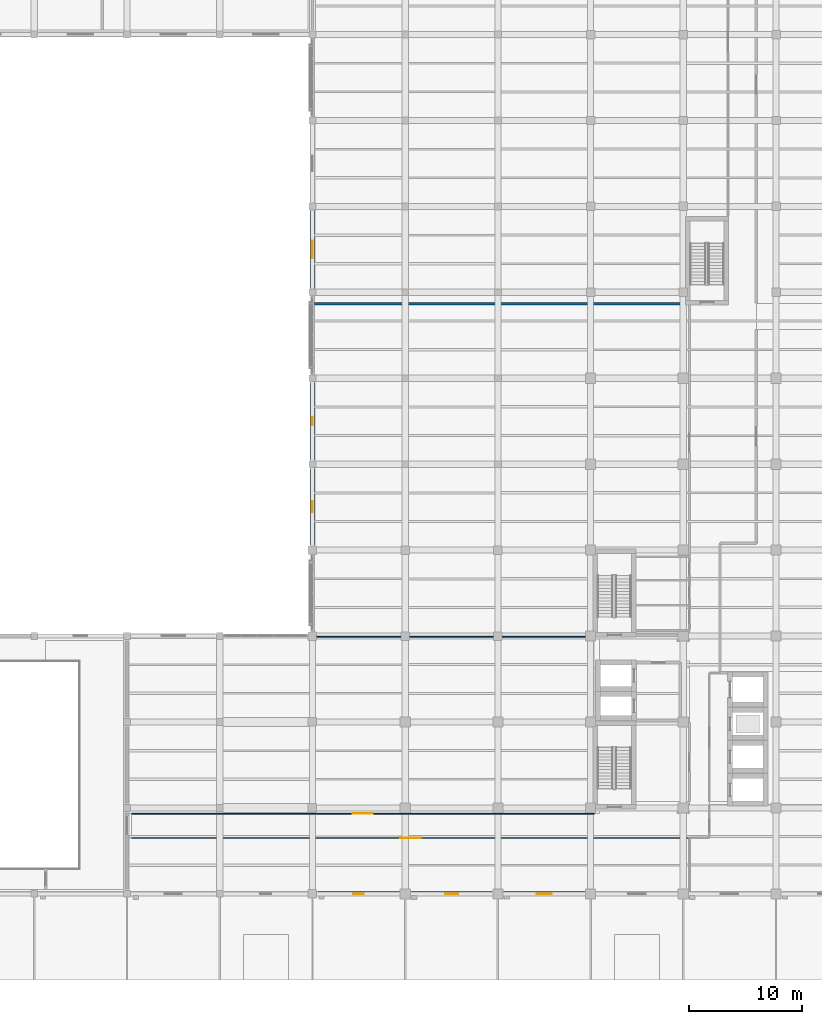
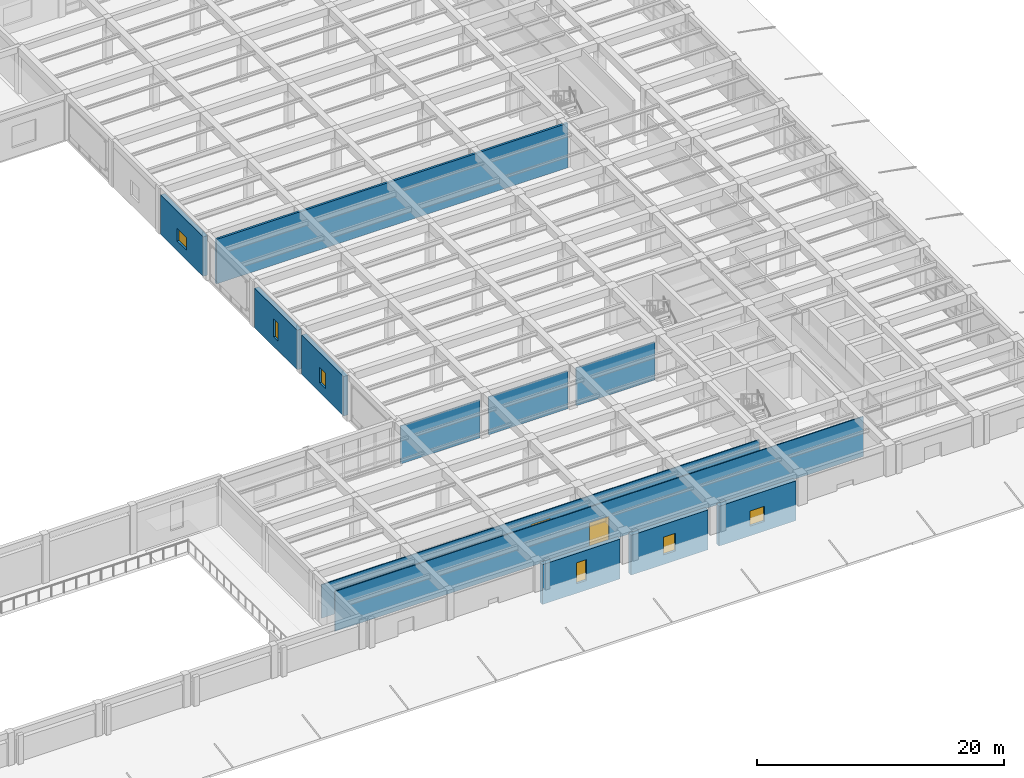
# One storey, part 38 of 57: 12 walls, 6 windows, 2 doors, 8 openings.
"""IFC4 building model written with IfcOpenShell, lengths in metres."""

import ifcopenshell
import ifcopenshell.guid

model = None  # the IFC model being written
_history = None  # IfcOwnerHistory: only IFC2X3 demands one
_inside = {}  # id of a spatial element -> (the spatial element, [elements in it])
_under = {}  # id of a project, library or spatial element -> (it, [spatial elements below it])
_declared = {}  # id of a project -> (the project, [libraries it declares])
_typed = {}  # id of a type object -> (the type object, [elements of that type])
_made_of = {}  # id of a material, layer set ... -> (it, [elements and type objects made of it])


def new_model(schema):
    """Start an empty IFC model of exactly this schema.

    Asked for "IFC4X3", IfcOpenShell would pick the latest addendum, in which some entities
    have other attributes; the version numbers below select the first issue.
    IFC2X3 requires an IfcOwnerHistory on every rooted entity: one is made here for all.
    """
    global model, _history
    if schema == "IFC4X3":
        model = ifcopenshell.file(schema_version=(4, 3, 0, 0))
    else:
        model = ifcopenshell.file(schema=schema)
    _inside.clear()
    _under.clear()
    _declared.clear()
    _typed.clear()
    _made_of.clear()
    _history = None
    if model.schema == "IFC2X3":
        org = make("IfcOrganization", Name="unknown")
        user = make(
            "IfcPersonAndOrganization",
            ThePerson=make("IfcPerson", FamilyName="unknown"),
            TheOrganization=org,
        )
        app = make(
            "IfcApplication",
            ApplicationDeveloper=org,
            Version="unknown",
            ApplicationFullName="unknown",
            ApplicationIdentifier="unknown",
        )
        _history = make(
            "IfcOwnerHistory",
            OwningUser=user,
            OwningApplication=app,
            ChangeAction="ADDED",
            CreationDate=0,
        )
    return model


def make(cls, **values):
    """One entity of the class cls with the attributes given. An attribute that is None is left unset."""
    return model.create_entity(
        cls, **{name: value for name, value in values.items() if value is not None}
    )


def rooted(cls, **values):
    """An entity with a GlobalId (a new one), such as an element, a storey or a relation."""
    return make(cls, GlobalId=ifcopenshell.guid.new(), OwnerHistory=_history, **values)


def si_unit(unit_type, name, prefix=None):
    """IfcSIUnit, for example si_unit("LENGTHUNIT", "METRE", prefix="MILLI")."""
    return make("IfcSIUnit", UnitType=unit_type, Prefix=prefix, Name=name)


def assignment(units):
    """IfcUnitAssignment: the units of a project."""
    return None if units is None else make("IfcUnitAssignment", Units=units)


def point(xyz):
    """IfcCartesianPoint."""
    return None if xyz is None else make("IfcCartesianPoint", Coordinates=xyz)


def direction(xyz):
    """IfcDirection."""
    return None if xyz is None else make("IfcDirection", DirectionRatios=xyz)


def frame(location, z_axis=None, x_axis=None):
    """IfcAxis2Placement3D, a coordinate frame: its origin and axes. An axis left out is left unset."""
    return make(
        "IfcAxis2Placement3D",
        Location=point(location),
        Axis=direction(z_axis),
        RefDirection=direction(x_axis),
    )


def frame_2d(location, x_axis=None):
    """IfcAxis2Placement2D, a coordinate frame in the plane: its origin and x axis."""
    return make(
        "IfcAxis2Placement2D", Location=point(location), RefDirection=direction(x_axis)
    )


def origin():
    """The frame at (0, 0, 0) with its axes left unset."""
    return frame((0.0, 0.0, 0.0))


def place(relative_to, where):
    """IfcLocalPlacement: puts the frame where relative to a parent placement (None: the world)."""
    return make(
        "IfcLocalPlacement", PlacementRelTo=relative_to, RelativePlacement=where
    )


def context(
    kind, dimensions, precision=None, world=None, true_north=None, identifier=None
):
    """IfcGeometricRepresentationContext, for example the 3D "Model" context."""
    return make(
        "IfcGeometricRepresentationContext",
        ContextIdentifier=identifier,
        ContextType=kind,
        CoordinateSpaceDimension=dimensions,
        Precision=precision,
        WorldCoordinateSystem=world,
        TrueNorth=true_north,
    )


def subcontext(parent, identifier, kind, view, scale=None):
    """IfcGeometricRepresentationSubContext, for example "Body" below "Model"."""
    return make(
        "IfcGeometricRepresentationSubContext",
        ContextIdentifier=identifier,
        ContextType=kind,
        ParentContext=parent,
        TargetScale=scale,
        TargetView=view,
    )


def project(units=None, contexts=None):
    """IfcProject with its units and contexts."""
    return rooted(
        "IfcProject",
        Name="project",
        RepresentationContexts=contexts,
        UnitsInContext=assignment(units),
    )


def spatial(cls, under=None, at=None, **own):
    """A site, building, storey or space (cls), placed at a placement, below another one or the project."""
    s = rooted(cls, ObjectPlacement=at, **own)
    if under is not None:
        _under.setdefault(under.id(), (under, []))[1].append(s)
    return s


def profile(cls, at=None, kind="AREA", **sizes):
    """A parametric profile (cls). Its sizes go by their IFC names, for example OverallWidth=200.0."""
    return make(cls, ProfileType=kind, Position=at, **sizes)


def rectangle(**sizes):
    """IfcRectangleProfileDef."""
    return profile("IfcRectangleProfileDef", **sizes)


def extrude(swept, where, along, depth):
    """IfcExtrudedAreaSolid: the profile swept, set in the frame where, extruded along a direction by depth."""
    return make(
        "IfcExtrudedAreaSolid",
        SweptArea=swept,
        Position=where,
        ExtrudedDirection=direction(along),
        Depth=depth,
    )


def shape(context_of_items, identifier, shape_type, items):
    """IfcShapeRepresentation: the items that make up one representation, for example the "Body"."""
    return make(
        "IfcShapeRepresentation",
        ContextOfItems=context_of_items,
        RepresentationIdentifier=identifier,
        RepresentationType=shape_type,
        Items=items,
    )


def material(Name=None, Category=None):
    """IfcMaterial."""
    return make("IfcMaterial", Name=Name, Category=Category)


def layer(
    of_material, thickness, ventilated=None, Name=None, Category=None, Priority=None
):
    """IfcMaterialLayer: one layer of a wall or slab, of a material (None: an air gap)."""
    return make(
        "IfcMaterialLayer",
        Material=of_material,
        LayerThickness=thickness,
        IsVentilated=ventilated,
        Name=Name,
        Category=Category,
        Priority=Priority,
    )


def layer_set(layers, Name=None):
    """IfcMaterialLayerSet."""
    return make("IfcMaterialLayerSet", MaterialLayers=layers, LayerSetName=Name)


def made_of(thing, what):
    """Note that an element or type object is made of a material, layer set ...; save() writes the relation."""
    if what is not None:
        _made_of.setdefault(what.id(), (what, []))[1].append(thing)
    return thing


def type_object(cls, material=None, **own):
    """A type object (cls), such as IfcWallType, which elements share."""
    return made_of(rooted(cls, **own), material)


def element(
    cls,
    number,
    at=None,
    inside=None,
    cuts=None,
    type_object=None,
    material=None,
    context=None,
    identifier="Body",
    shape_type=None,
    held_by="IfcProductDefinitionShape",
    body=None,
    shapes=None,
    **own,
):
    """One element of the class cls, such as IfcWall. Its Tag is "e" and its number.

    at: its placement. inside: the storey or other place that contains it. cuts: it is an
    opening in that element (IfcRelVoidsElement). A single representation is given by context,
    identifier, shape_type and body (its items); several are given by shapes. held_by: the class
    of the entity that holds the representations. save() writes the other relations.
    """
    e = rooted(cls, Tag="e%d" % number, ObjectPlacement=at, **own)
    if body is not None:
        shapes = [shape(context, identifier, shape_type, body)]
    if shapes is not None:
        e.Representation = make(held_by, Representations=shapes)
    if inside is not None:
        _inside.setdefault(inside.id(), (inside, []))[1].append(e)
    if cuts is not None:
        rooted(
            "IfcRelVoidsElement", RelatingBuildingElement=cuts, RelatedOpeningElement=e
        )
    if type_object is not None:
        _typed.setdefault(type_object.id(), (type_object, []))[1].append(e)
    return made_of(e, material)


def fill(opening, filler):
    """IfcRelFillsElement: the door or window that sits in an opening."""
    return rooted(
        "IfcRelFillsElement",
        RelatingOpeningElement=opening,
        RelatedBuildingElement=filler,
    )


def aggregate(whole, parts):
    """IfcRelAggregates: a whole, such as a stair, and the parts it consists of."""
    return rooted("IfcRelAggregates", RelatingObject=whole, RelatedObjects=parts)


def save(model, path):
    """Write the relations noted so far, then the file.

    IfcRelAggregates (storeys below a building ...), IfcRelContainedInSpatialStructure (elements
    in a storey), IfcRelDefinesByType, IfcRelAssociatesMaterial and IfcRelDeclares: one each for
    every whole, place, type object, material and project.
    """
    for whole, parts in _under.values():
        aggregate(whole, parts)
    for where, things in _inside.values():
        rooted(
            "IfcRelContainedInSpatialStructure",
            RelatedElements=things,
            RelatingStructure=where,
        )
    for kind, things in _typed.values():
        rooted("IfcRelDefinesByType", RelatedObjects=things, RelatingType=kind)
    for what, things in _made_of.values():
        rooted("IfcRelAssociatesMaterial", RelatedObjects=things, RelatingMaterial=what)
    for by, libraries in _declared.values():
        rooted("IfcRelDeclares", RelatingContext=by, RelatedDefinitions=libraries)
    model.write(path)


model = new_model("IFC4")

# Units and contexts
model_context = context("Model", 3, precision=1e-05, world=origin(), true_north=direction((0.0, 1.0)))
body_context = subcontext(model_context, "Body", "Model", "MODEL_VIEW")
ifc_project = project(units=[si_unit("LENGTHUNIT", "METRE"), si_unit("AREAUNIT", "SQUARE_METRE"), si_unit("VOLUMEUNIT", "CUBIC_METRE"), si_unit("PLANEANGLEUNIT", "RADIAN"), si_unit("MASSUNIT", "GRAM", prefix="KILO")], contexts=[model_context])

# Site, building, storey
site_placement = place(None, origin())
site = spatial("IfcSite", under=ifc_project, at=site_placement, CompositionType="ELEMENT")
building_placement = place(site_placement, origin())
building = spatial("IfcBuilding", under=site, at=building_placement, Name="Qandaris Square Conservatory and Botanical Centre", CompositionType="ELEMENT")
storey_placement = place(building_placement, frame((0.0, 0.0, 5.39990234375)))
storey = spatial("IfcBuildingStorey", under=building, at=storey_placement, Name="L01", CompositionType="ELEMENT", Elevation=5.39990234375)

# Wall, opening, door
ifc_material_1 = material(Name="Tempered Low-E Glass", Category="glass")
ifc_layer_1 = layer(ifc_material_1, 0.10009765625)
ifc_layer_set_1 = layer_set([ifc_layer_1], Name="Tempered Low-E Glass")
wall_type_1 = type_object("IfcWallType", Name="Framed Acoustic Glazed Gallery Screen 100mm", PredefinedType="PARTITIONING", material=ifc_layer_set_1)
wall_1_placement = place(storey_placement, frame((147.949951171875, 21.550048828125, 0.0), z_axis=(0.0, 0.0, 1.0), x_axis=(-1.0, 0.0, 0.0)))
wall_1 = element("IfcWall", 1, at=wall_1_placement, inside=storey, type_object=wall_type_1, Name="Interior Partition IW-L01-0105", PredefinedType="PARTITIONING", context=body_context, shape_type="SweptSolid", body=[
    extrude(rectangle(XDim=49.349853515625, YDim=0.10009765625, at=frame_2d((24.6748046875, 0.0))), origin(), (0.0, 0.0, 1.0), 3.945068359375),
])
opening_1_placement = place(wall_1_placement, frame((23.77490234375, 0.0, 0.0)))
opening_1 = element("IfcOpeningElement", 2, at=opening_1_placement, cuts=wall_1, Name="Opening D-GL1", PredefinedType="OPENING", context=body_context, shape_type="SweptSolid", body=[
    extrude(rectangle(XDim=1.800048828125, YDim=2.39990234375, at=frame_2d((0.89990234375, 1.199951171875))), frame((0.0, 0.06201171875, 0.0), z_axis=(0.0, -1.0, 0.0), x_axis=(1.0, 0.0, 0.0)), (0.0, 0.0, 1.0), 0.1240234375),
])
ifc_material_2 = material(Name="Anodised Aluminium", Category="aluminium")
door_type = type_object("IfcDoorType", Name="Visitor Gallery Glazed Double Door 1800x2400", OperationType="DOUBLE_DOOR_SINGLE_SWING", PredefinedType="DOOR", material=ifc_material_2)
door_1_placement = place(opening_1_placement, origin())
door_1 = element("IfcDoor", 3, at=door_1_placement, inside=storey, type_object=door_type, Name="DR-0095 Visitor Centre Interactive Ecology Gallery Door", OperationType="DOUBLE_DOOR_SINGLE_SWING", OverallHeight=2.39990234375, OverallWidth=1.800048828125, PredefinedType="DOOR", context=body_context, shape_type="SweptSolid", body=[
    extrude(rectangle(XDim=1.800048828125, YDim=2.39990234375, at=frame_2d((0.89990234375, 1.199951171875))), frame((0.0, 0.02490234375, 0.0), z_axis=(0.0, -1.0, 0.0), x_axis=(1.0, 0.0, 0.0)), (0.0, 0.0, 1.0), 0.050048828125),
])
fill(opening_1, door_1)

wall_2_placement = place(storey_placement, frame((98.60009765625, 23.699951171875, 0.0), z_axis=(0.0, 0.0, 1.0), x_axis=(1.0, 0.0, 0.0)))
wall_2 = element("IfcWall", 4, at=wall_2_placement, inside=storey, type_object=wall_type_1, Name="Interior Partition IW-L01-0106", PredefinedType="PARTITIONING", context=body_context, shape_type="SweptSolid", body=[
    extrude(rectangle(XDim=40.89990234375, YDim=0.10009765625, at=frame_2d((20.449951171875, 0.0))), origin(), (0.0, 0.0, 1.0), 3.30517578125),
])
opening_2_placement = place(wall_2_placement, frame((19.550048828125, 0.0, 0.0)))
opening_2 = element("IfcOpeningElement", 5, at=opening_2_placement, cuts=wall_2, Name="Opening D-GL1", PredefinedType="OPENING", context=body_context, shape_type="SweptSolid", body=[
    extrude(rectangle(XDim=1.800048828125, YDim=2.39990234375, at=frame_2d((0.89990234375, 1.199951171875))), frame((0.0, 0.06201171875, 0.0), z_axis=(0.0, -1.0, 0.0), x_axis=(1.0, 0.0, 0.0)), (0.0, 0.0, 1.0), 0.1240234375),
])
door_2_placement = place(opening_2_placement, frame((1.800048828125, 0.0, 0.0), z_axis=(0.0, 0.0, 1.0), x_axis=(-1.0, 0.0, 0.0)))
door_2 = element("IfcDoor", 6, at=door_2_placement, inside=storey, type_object=door_type, Name="DR-0096 Botanical Illustration Studio Door", OperationType="DOUBLE_DOOR_SINGLE_SWING", OverallHeight=2.39990234375, OverallWidth=1.800048828125, PredefinedType="DOOR", context=body_context, shape_type="SweptSolid", body=[
    extrude(rectangle(XDim=1.800048828125, YDim=2.39990234375, at=frame_2d((0.89990234375, 1.199951171875))), frame((0.0, 0.02490234375, 0.0), z_axis=(0.0, -1.0, 0.0), x_axis=(1.0, 0.0, 0.0)), (0.0, 0.0, 1.0), 0.050048828125),
])
fill(opening_2, door_2)

# Walls
for number, where, z_axis, x_axis, name in (
    (7, (114.9951171875, 39.324951171875, 0.0), (0.0, 0.0, 1.0), (1.0, 0.0, 0.0), "Interior Partition IW-L01-0119"),
    (8, (123.195068359375, 39.324951171875, 0.0), (0.0, 0.0, 1.0), (1.0, 0.0, 0.0), "Interior Partition IW-L01-0120"),
):
    element("IfcWall", number, at=place(storey_placement, frame(where, z_axis=z_axis, x_axis=x_axis)), inside=storey, type_object=wall_type_1, Name=name, PredefinedType="PARTITIONING", context=body_context, shape_type="SweptSolid", body=[
        extrude(rectangle(XDim=7.409912109375, YDim=0.10009765625, at=frame_2d((3.705078125, 0.0))), origin(), (0.0, 0.0, 1.0), 3.755126953125),
    ])
wall_3_placement = place(storey_placement, frame((131.39501953125, 39.324951171875, 0.0), z_axis=(0.0, 0.0, 1.0), x_axis=(1.0, 0.0, 0.0)))
element("IfcWall", 9, at=wall_3_placement, inside=storey, type_object=wall_type_1, Name="Interior Partition IW-L01-0121", PredefinedType="PARTITIONING", context=body_context, shape_type="SweptSolid", body=[
    extrude(rectangle(XDim=7.3349609375, YDim=0.10009765625, at=frame_2d((3.66748046875, 0.0))), origin(), (0.0, 0.0, 1.0), 3.755126953125),
])
ifc_material_3 = material(Name="Concrete C40/50", Category="concrete")
ifc_layer_2 = layer(ifc_material_3, 0.199951171875)
ifc_layer_set_2 = layer_set([ifc_layer_2], Name="Concrete C40/50")
wall_type_2 = type_object("IfcWallType", Name="Herbarium & Plant Compartment Wall 200mm", PredefinedType="PARTITIONING", material=ifc_layer_set_2)
wall_4_placement = place(storey_placement, frame((114.780029296875, 68.800048828125, 0.0), z_axis=(0.0, 0.0, 1.0), x_axis=(1.0, 0.0, 0.0)))
element("IfcWall", 10, at=wall_4_placement, inside=storey, type_object=wall_type_2, Name="Interior Partition IW-L01-0122", PredefinedType="PARTITIONING", context=body_context, shape_type="SweptSolid", body=[
    extrude(rectangle(XDim=32.820068359375, YDim=0.199951171875, at=frame_2d((16.41015625, 0.0))), origin(), (0.0, 0.0, 1.0), 4.405029296875),
])

# Wall, opening, window
ifc_layer_3 = layer(ifc_material_3, 0.419921875)
ifc_layer_set_3 = layer_set([ifc_layer_3], Name="Concrete C40/50")
wall_type_3 = type_object("IfcWallType", Name="Insulated Qatari Limestone Cavity Wall 420mm", PredefinedType="SOLIDWALL", material=ifc_layer_set_3)
wall_5_placement = place(storey_placement, frame((115.034912109375, 16.60009765625, 0.0), z_axis=(0.0, 0.0, 1.0), x_axis=(1.0, 0.0, 0.0)))
wall_5 = element("IfcWall", 11, at=wall_5_placement, inside=storey, type_object=wall_type_3, Name="Exterior Wall EW-TWR-L01-1-3", PredefinedType="SOLIDWALL", context=body_context, shape_type="SweptSolid", body=[
    extrude(rectangle(XDim=7.255126953125, YDim=0.419921875, at=frame_2d((3.62744140625, 0.0))), origin(), (0.0, 0.0, 1.0), 3.93017578125),
])
opening_3_placement = place(wall_5_placement, frame((3.152587890625, 0.0, 0.949951171875)))
opening_3 = element("IfcOpeningElement", 12, at=opening_3_placement, cuts=wall_5, Name="Opening WN-16", PredefinedType="OPENING", context=body_context, shape_type="SweptSolid", body=[
    extrude(rectangle(XDim=0.949951171875, YDim=2.050048828125, at=frame_2d((0.47509765625, 1.02490234375))), frame((0.0, 0.221923828125, 0.0), z_axis=(0.0, -1.0, 0.0), x_axis=(1.0, 0.0, 0.0)), (0.0, 0.0, 1.0), 0.44384765625),
])
window_type_1 = type_object("IfcWindowType", Name="Solar Control Window 950x2050", PartitioningType="SINGLE_PANEL", PredefinedType="WINDOW", material=ifc_material_1)
window_1_placement = place(opening_3_placement, origin())
window_1 = element("IfcWindow", 13, at=window_1_placement, inside=storey, type_object=window_type_1, Name="Window EW-TWR-L01-1-3", OverallHeight=2.050048828125, OverallWidth=0.949951171875, PartitioningType="SINGLE_PANEL", PredefinedType="WINDOW", context=body_context, shape_type="SweptSolid", body=[
    extrude(rectangle(XDim=0.949951171875, YDim=2.050048828125, at=frame_2d((0.47509765625, 1.02490234375))), frame((0.0, 0.030029296875, 0.0), z_axis=(0.0, -1.0, 0.0), x_axis=(1.0, 0.0, 0.0)), (0.0, 0.0, 1.0), 0.06005859375),
])
fill(opening_3, window_1)

wall_6_placement = place(storey_placement, frame((123.31005859375, 16.60009765625, 0.0), z_axis=(0.0, 0.0, 1.0), x_axis=(1.0, 0.0, 0.0)))
wall_6 = element("IfcWall", 14, at=wall_6_placement, inside=storey, type_object=wall_type_3, Name="Exterior Wall EW-TWR-L01-1-4", PredefinedType="SOLIDWALL", context=body_context, shape_type="SweptSolid", body=[
    extrude(rectangle(XDim=7.179931640625, YDim=0.419921875, at=frame_2d((3.58984375, 0.0))), origin(), (0.0, 0.0, 1.0), 3.93017578125),
])
opening_4_placement = place(wall_6_placement, frame((3.014892578125, 0.0, 0.949951171875)))
opening_4 = element("IfcOpeningElement", 15, at=opening_4_placement, cuts=wall_6, Name="Opening WN-19", PredefinedType="OPENING", context=body_context, shape_type="SweptSolid", body=[
    extrude(rectangle(XDim=1.14990234375, YDim=1.75, at=frame_2d((0.574951171875, 0.875))), frame((0.0, 0.221923828125, 0.0), z_axis=(0.0, -1.0, 0.0), x_axis=(1.0, 0.0, 0.0)), (0.0, 0.0, 1.0), 0.44384765625),
])
window_type_2 = type_object("IfcWindowType", Name="Solar Control Window 1150x1750", PartitioningType="SINGLE_PANEL", PredefinedType="WINDOW", material=ifc_material_1)
window_2_placement = place(opening_4_placement, origin())
window_2 = element("IfcWindow", 16, at=window_2_placement, inside=storey, type_object=window_type_2, Name="Window EW-TWR-L01-1-4", OverallHeight=1.75, OverallWidth=1.14990234375, PartitioningType="SINGLE_PANEL", PredefinedType="WINDOW", context=body_context, shape_type="SweptSolid", body=[
    extrude(rectangle(XDim=1.14990234375, YDim=1.75, at=frame_2d((0.574951171875, 0.875))), frame((0.0, 0.030029296875, 0.0), z_axis=(0.0, -1.0, 0.0), x_axis=(1.0, 0.0, 0.0)), (0.0, 0.0, 1.0), 0.06005859375),
])
fill(opening_4, window_2)

wall_7_placement = place(storey_placement, frame((131.510009765625, 16.60009765625, 0.0), z_axis=(0.0, 0.0, 1.0), x_axis=(1.0, 0.0, 0.0)))
wall_7 = element("IfcWall", 17, at=wall_7_placement, inside=storey, type_object=wall_type_3, Name="Exterior Wall EW-TWR-L01-1-5", PredefinedType="SOLIDWALL", context=body_context, shape_type="SweptSolid", body=[
    extrude(rectangle(XDim=7.179931640625, YDim=0.419921875, at=frame_2d((3.58984375, 0.0))), origin(), (0.0, 0.0, 1.0), 3.93017578125),
])
opening_5_placement = place(wall_7_placement, frame((2.9150390625, 0.0, 0.949951171875)))
opening_5 = element("IfcOpeningElement", 18, at=opening_5_placement, cuts=wall_7, Name="Opening WN-22", PredefinedType="OPENING", context=body_context, shape_type="SweptSolid", body=[
    extrude(rectangle(XDim=1.35009765625, YDim=1.5, at=frame_2d((0.675048828125, 0.75))), frame((0.0, 0.221923828125, 0.0), z_axis=(0.0, -1.0, 0.0), x_axis=(1.0, 0.0, 0.0)), (0.0, 0.0, 1.0), 0.44384765625),
])
window_type_3 = type_object("IfcWindowType", Name="Solar Control Window 1350x1500", PartitioningType="SINGLE_PANEL", PredefinedType="WINDOW", material=ifc_material_1)
window_3_placement = place(opening_5_placement, origin())
window_3 = element("IfcWindow", 19, at=window_3_placement, inside=storey, type_object=window_type_3, Name="Window EW-TWR-L01-1-5", OverallHeight=1.5, OverallWidth=1.35009765625, PartitioningType="SINGLE_PANEL", PredefinedType="WINDOW", context=body_context, shape_type="SweptSolid", body=[
    extrude(rectangle(XDim=1.35009765625, YDim=1.5, at=frame_2d((0.675048828125, 0.75))), frame((0.0, 0.030029296875, 0.0), z_axis=(0.0, -1.0, 0.0), x_axis=(1.0, 0.0, 0.0)), (0.0, 0.0, 1.0), 0.06005859375),
])
fill(opening_5, window_3)

wall_8_placement = place(storey_placement, frame((114.60009765625, 77.0400390625, 0.0), z_axis=(0.0, 0.0, 1.0), x_axis=(0.0, -1.0, 0.0)))
wall_8 = element("IfcWall", 20, at=wall_8_placement, inside=storey, type_object=wall_type_3, Name="Exterior Wall EW-TWR-L01-4-5", PredefinedType="SOLIDWALL", context=body_context, shape_type="SweptSolid", body=[
    extrude(rectangle(XDim=6.880126953125, YDim=0.419921875, at=frame_2d((3.43994140625, 0.0))), origin(), (0.0, 0.0, 1.0), 3.905029296875),
])
opening_6_placement = place(wall_8_placement, frame((2.6650390625, 0.0, 0.949951171875)))
opening_6 = element("IfcOpeningElement", 21, at=opening_6_placement, cuts=wall_8, Name="Opening WN-25", PredefinedType="OPENING", context=body_context, shape_type="SweptSolid", body=[
    extrude(rectangle(XDim=1.550048828125, YDim=1.25, at=frame_2d((0.77490234375, 0.625))), frame((0.0, 0.221923828125, 0.0), z_axis=(0.0, -1.0, 0.0), x_axis=(1.0, 0.0, 0.0)), (0.0, 0.0, 1.0), 0.44384765625),
])
window_type_4 = type_object("IfcWindowType", Name="Solar Control Window 1550x1250", PartitioningType="DOUBLE_PANEL_VERTICAL", PredefinedType="WINDOW", material=ifc_material_1)
window_4_placement = place(opening_6_placement, origin())
window_4 = element("IfcWindow", 22, at=window_4_placement, inside=storey, type_object=window_type_4, Name="Window EW-TWR-L01-4-5", OverallHeight=1.25, OverallWidth=1.550048828125, PartitioningType="DOUBLE_PANEL_VERTICAL", PredefinedType="WINDOW", context=body_context, shape_type="SweptSolid", body=[
    extrude(rectangle(XDim=1.550048828125, YDim=1.25, at=frame_2d((0.77490234375, 0.625))), frame((0.0, 0.030029296875, 0.0), z_axis=(0.0, -1.0, 0.0), x_axis=(1.0, 0.0, 0.0)), (0.0, 0.0, 1.0), 0.06005859375),
])
fill(opening_6, window_4)

wall_9_placement = place(storey_placement, frame((114.60009765625, 61.840087890625, 0.0), z_axis=(0.0, 0.0, 1.0), x_axis=(0.0, -1.0, 0.0)))
wall_9 = element("IfcWall", 23, at=wall_9_placement, inside=storey, type_object=wall_type_3, Name="Exterior Wall EW-TWR-L01-4-7", PredefinedType="SOLIDWALL", context=body_context, shape_type="SweptSolid", body=[
    extrude(rectangle(XDim=6.880126953125, YDim=0.419921875, at=frame_2d((3.43994140625, 0.0))), origin(), (0.0, 0.0, 1.0), 3.905029296875),
])
opening_7_placement = place(wall_9_placement, frame((3.06494140625, 0.0, 0.949951171875)))
opening_7 = element("IfcOpeningElement", 24, at=opening_7_placement, cuts=wall_9, Name="Opening WN-03", PredefinedType="OPENING", context=body_context, shape_type="SweptSolid", body=[
    extrude(rectangle(XDim=0.75, YDim=1.800048828125, at=frame_2d((0.375, 0.89990234375))), frame((0.0, 0.221923828125, 0.0), z_axis=(0.0, -1.0, 0.0), x_axis=(1.0, 0.0, 0.0)), (0.0, 0.0, 1.0), 0.44384765625),
])
window_type_5 = type_object("IfcWindowType", Name="Herbarium UV-Filtered Slot Window 750x1800", PartitioningType="SINGLE_PANEL", PredefinedType="WINDOW", material=ifc_material_1)
window_5_placement = place(opening_7_placement, origin())
window_5 = element("IfcWindow", 25, at=window_5_placement, inside=storey, type_object=window_type_5, Name="Window EW-TWR-L01-4-7", OverallHeight=1.800048828125, OverallWidth=0.75, PartitioningType="SINGLE_PANEL", PredefinedType="WINDOW", context=body_context, shape_type="SweptSolid", body=[
    extrude(rectangle(XDim=0.75, YDim=1.800048828125, at=frame_2d((0.375, 0.89990234375))), frame((0.0, 0.030029296875, 0.0), z_axis=(0.0, -1.0, 0.0), x_axis=(1.0, 0.0, 0.0)), (0.0, 0.0, 1.0), 0.06005859375),
])
fill(opening_7, window_5)

wall_10_placement = place(storey_placement, frame((114.60009765625, 54.239990234375, 0.0), z_axis=(0.0, 0.0, 1.0), x_axis=(0.0, -1.0, 0.0)))
wall_10 = element("IfcWall", 26, at=wall_10_placement, inside=storey, type_object=wall_type_3, Name="Exterior Wall EW-TWR-L01-4-8", PredefinedType="SOLIDWALL", context=body_context, shape_type="SweptSolid", body=[
    extrude(rectangle(XDim=6.804931640625, YDim=0.419921875, at=frame_2d((3.40234375, 0.0))), origin(), (0.0, 0.0, 1.0), 3.905029296875),
])
opening_8_placement = place(wall_10_placement, frame((2.927490234375, 0.0, 0.949951171875)))
opening_8 = element("IfcOpeningElement", 27, at=opening_8_placement, cuts=wall_10, Name="Opening WN-14", PredefinedType="OPENING", context=body_context, shape_type="SweptSolid", body=[
    extrude(rectangle(XDim=0.949951171875, YDim=1.5, at=frame_2d((0.47509765625, 0.75))), frame((0.0, 0.221923828125, 0.0), z_axis=(0.0, -1.0, 0.0), x_axis=(1.0, 0.0, 0.0)), (0.0, 0.0, 1.0), 0.44384765625),
])
window_type_6 = type_object("IfcWindowType", Name="Solar Control Window 950x1500", PartitioningType="SINGLE_PANEL", PredefinedType="WINDOW", material=ifc_material_1)
window_6_placement = place(opening_8_placement, origin())
window_6 = element("IfcWindow", 28, at=window_6_placement, inside=storey, type_object=window_type_6, Name="Window EW-TWR-L01-4-8", OverallHeight=1.5, OverallWidth=0.949951171875, PartitioningType="SINGLE_PANEL", PredefinedType="WINDOW", context=body_context, shape_type="SweptSolid", body=[
    extrude(rectangle(XDim=0.949951171875, YDim=1.5, at=frame_2d((0.47509765625, 0.75))), frame((0.0, 0.030029296875, 0.0), z_axis=(0.0, -1.0, 0.0), x_axis=(1.0, 0.0, 0.0)), (0.0, 0.0, 1.0), 0.06005859375),
])
fill(opening_8, window_6)

save(model, "model.ifc")
